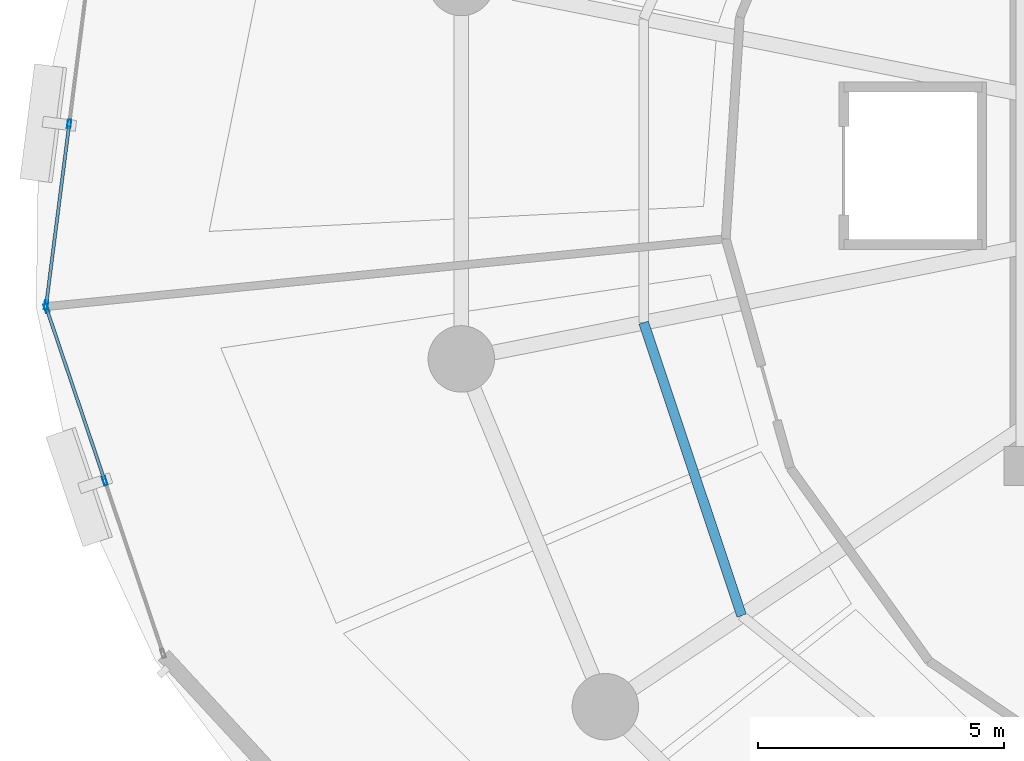
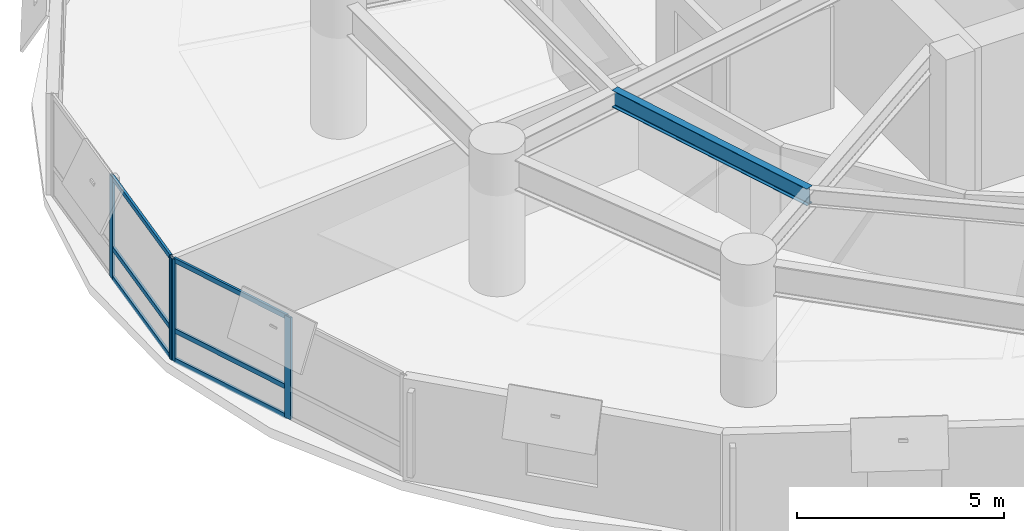
# One storey, part 4 of 17: 10 members, 1 beam, 2 elements without a shape of their own.
"""IFC4 building model written with IfcOpenShell, lengths in metres."""

from ifc_helpers import new_model, si_unit, direction, frame, origin, origin_2d, place, context, subcontext, project, spatial, hollow_rectangle, i_section, extrude, material, layer, layer_set, material_profile, profile_set, type_object, element, aggregate, save


model = new_model("IFC4")

# Units and contexts
model_context = context("Model", 3, precision=1e-05, world=origin(), true_north=direction((0.0, 1.0)))
body_context = subcontext(model_context, "Body", "Model", "MODEL_VIEW")
ifc_project = project(units=[si_unit("LENGTHUNIT", "METRE"), si_unit("AREAUNIT", "SQUARE_METRE"), si_unit("VOLUMEUNIT", "CUBIC_METRE"), si_unit("PLANEANGLEUNIT", "RADIAN"), si_unit("MASSUNIT", "GRAM", prefix="KILO"), si_unit("THERMODYNAMICTEMPERATUREUNIT", "KELVIN"), si_unit("POWERUNIT", "WATT")], contexts=[model_context])

# Site, building, storey
site_placement = place(None, origin())
site = spatial("IfcSite", under=ifc_project, at=site_placement, CompositionType="ELEMENT")
building_placement = place(site_placement, origin())
building = spatial("IfcBuilding", under=site, at=building_placement, Name="Ocrelia Relay Tower", CompositionType="ELEMENT")
storey_placement = place(building_placement, frame((0.0, 0.0, 55.199951171875)))
storey = spatial("IfcBuildingStorey", under=building, at=storey_placement, Name="L12", CompositionType="ELEMENT", Elevation=55.199951171875)

# Beam
ifc_material_1 = material(Name="Steel S355", Category="steel")
ifc_material_profile_1 = material_profile(ifc_material_1, i_section(OverallWidth=0.199951171875, OverallDepth=0.5, WebThickness=0.01025390625, FlangeThickness=0.01611328125, FilletRadius=0.02099609375, at=origin_2d()), Name="IPE 500")
ifc_profile_set_1 = profile_set([ifc_material_profile_1], Name="Steel S355")
beam_type = type_object("IfcBeamType", Name="BM-IPE500", PredefinedType="JOIST", material=ifc_profile_set_1)
beam_placement = place(storey_placement, frame((18.481689453125, 22.9130859375, 3.670166015625), z_axis=(0.317067865999, -0.948402851298, 0.0), x_axis=(0.948402851298, 0.317067865999, 0.0)))
element("IfcBeam", 1, at=beam_placement, inside=storey, type_object=beam_type, Name="L12 Secondary Floor Joist J09", PredefinedType="JOIST", context=body_context, shape_type="SweptSolid", body=[
    extrude(i_section(OverallWidth=0.199951171875, OverallDepth=0.5, WebThickness=0.01025390625, FlangeThickness=0.01611328125, FilletRadius=0.02099609375, at=origin_2d()), origin(), (0.0, 0.0, 1.0), 6.276123046875),
])

# Curtain wall, members
ifc_material_2 = material(Name="Aluminium and solar-control low-E glass", Category="aluminium")
ifc_layer = layer(ifc_material_2, 0.179931640625, Name="Aluminium and solar-control low-E glass")
ifc_layer_set = layer_set([ifc_layer], Name="Aluminium and solar-control low-E glass")
curtain_wall_type = type_object("IfcCurtainWallType", Name="CW-SYS-Z1-DATA", PredefinedType="NOTDEFINED", material=ifc_layer_set)
curtain_wall_1_placement = place(storey_placement, origin())
curtain_wall_1 = element("IfcCurtainWall", 2, at=curtain_wall_1_placement, inside=storey, type_object=curtain_wall_type, Name="L12 Elliptical Tower Curtain Wall Bay 09", PredefinedType="NOTDEFINED")
ifc_material_3 = material(Name="Anodised bronze aluminium", Category="aluminium")
ifc_material_profile_2 = material_profile(ifc_material_3, hollow_rectangle(XDim=0.070068359375, YDim=0.179931640625, WallThickness=0.006103515625, at=origin_2d()), Name="CW-MUL-180x70")
ifc_profile_set_2 = profile_set([ifc_material_profile_2], Name="Anodised bronze aluminium")
member_type_1 = type_object("IfcMemberType", Name="CW-SYS-Z1-DATA-MUL", PredefinedType="MULLION", material=ifc_profile_set_2)
member_1_placement = place(storey_placement, frame((6.809814453125, 26.946533203125, 0.0), z_axis=(0.0, 0.0, 1.0), x_axis=(0.991982673525, -0.126373950742, 0.0)))
member_1 = element("IfcMember", 3, at=member_1_placement, type_object=member_type_1, Name="CW-Z1 mullion 2", PredefinedType="MULLION", context=body_context, shape_type="SweptSolid", body=[
    extrude(hollow_rectangle(XDim=0.070068359375, YDim=0.179931640625, WallThickness=0.006103515625, at=origin_2d()), origin(), (0.0, 0.0, 1.0), 3.0),
])
member_2_placement = place(storey_placement, frame((6.342041015625, 23.273681640625, 0.0), z_axis=(0.0, 0.0, 1.0), x_axis=(0.991982673525, -0.126373950742, 0.0)))
member_2 = element("IfcMember", 4, at=member_2_placement, type_object=member_type_1, Name="CW-Z1 mullion 3", PredefinedType="MULLION", context=body_context, shape_type="SweptSolid", body=[
    extrude(hollow_rectangle(XDim=0.070068359375, YDim=0.179931640625, WallThickness=0.006103515625, at=origin_2d()), origin(), (0.0, 0.0, 1.0), 3.0),
])

curtain_wall_2_placement = place(storey_placement, origin())
curtain_wall_2 = element("IfcCurtainWall", 5, at=curtain_wall_2_placement, inside=storey, type_object=curtain_wall_type, Name="L12 Elliptical Tower Curtain Wall Bay 10", PredefinedType="NOTDEFINED")
member_3_placement = place(storey_placement, frame((6.3486328125, 23.205810546875, 0.0), z_axis=(0.0, 0.0, 1.0), x_axis=(0.947433239602, 0.319953522402, 0.0)))
member_3 = element("IfcMember", 6, at=member_3_placement, type_object=member_type_1, Name="CW-Z1 mullion 1", PredefinedType="MULLION", context=body_context, shape_type="SweptSolid", body=[
    extrude(hollow_rectangle(XDim=0.070068359375, YDim=0.179931640625, WallThickness=0.006103515625, at=origin_2d()), origin(), (0.0, 0.0, 1.0), 3.0),
])
member_4_placement = place(storey_placement, frame((7.533447265625, 19.69775390625, 0.0), z_axis=(0.0, 0.0, 1.0), x_axis=(0.947433239602, 0.319953522402, 0.0)))
member_4 = element("IfcMember", 7, at=member_4_placement, type_object=member_type_1, Name="CW-Z1 mullion 2", PredefinedType="MULLION", context=body_context, shape_type="SweptSolid", body=[
    extrude(hollow_rectangle(XDim=0.070068359375, YDim=0.179931640625, WallThickness=0.006103515625, at=origin_2d()), origin(), (0.0, 0.0, 1.0), 3.0),
])

# Member
ifc_material_profile_3 = material_profile(ifc_material_3, hollow_rectangle(XDim=0.06494140625, YDim=0.139892578125, WallThickness=0.0048828125, at=origin_2d()), Name="CW-TRN-140x65")
ifc_profile_set_3 = profile_set([ifc_material_profile_3], Name="Anodised bronze aluminium")
member_type_2 = type_object("IfcMemberType", Name="CW-SYS-Z1-DATA-TRN", PredefinedType="USERDEFINED", material=ifc_profile_set_3)
member_5_placement = place(storey_placement, frame((6.805419921875, 26.911865234375, 0.032470703125), z_axis=(-0.126350477481, -0.991985663626, 0.0), x_axis=(0.991985663626, -0.126350477481, 0.0)))
member_5 = element("IfcMember", 8, at=member_5_placement, type_object=member_type_2, Name="CW-Z1 transom 2.1", ObjectType="TRANSOM", PredefinedType="USERDEFINED", context=body_context, shape_type="SweptSolid", body=[
    extrude(hollow_rectangle(XDim=0.06494140625, YDim=0.139892578125, WallThickness=0.0048828125, at=origin_2d()), origin(), (0.0, 0.0, 1.0), 3.632568359375),
])

member_6_placement = place(storey_placement, frame((6.805419921875, 26.911865234375, 0.900146484375), z_axis=(-0.126350477481, -0.991985663626, 0.0), x_axis=(0.991985663626, -0.126350477481, 0.0)))
member_6 = element("IfcMember", 9, at=member_6_placement, type_object=member_type_2, Name="CW-Z1 transom 2.2", ObjectType="TRANSOM", PredefinedType="USERDEFINED", context=body_context, shape_type="SweptSolid", body=[
    extrude(hollow_rectangle(XDim=0.06494140625, YDim=0.139892578125, WallThickness=0.0048828125, at=origin_2d()), origin(), (0.0, 0.0, 1.0), 3.632568359375),
])

member_7_placement = place(storey_placement, frame((6.805419921875, 26.911865234375, 2.967529296875), z_axis=(-0.126350477481, -0.991985663626, 0.0), x_axis=(0.991985663626, -0.126350477481, 0.0)))
member_7 = element("IfcMember", 10, at=member_7_placement, type_object=member_type_2, Name="CW-Z1 transom 2.3", ObjectType="TRANSOM", PredefinedType="USERDEFINED", context=body_context, shape_type="SweptSolid", body=[
    extrude(hollow_rectangle(XDim=0.06494140625, YDim=0.139892578125, WallThickness=0.0048828125, at=origin_2d()), origin(), (0.0, 0.0, 1.0), 3.632568359375),
])

aggregate(curtain_wall_1, [member_1, member_2, member_5, member_6, member_7])

member_8_placement = place(storey_placement, frame((6.35986328125, 23.172607421875, 0.032470703125), z_axis=(0.319955107478, -0.947432704311, 0.0), x_axis=(0.947432704311, 0.319955107478, 0.0)))
member_8 = element("IfcMember", 11, at=member_8_placement, type_object=member_type_2, Name="CW-Z1 transom 1.1", ObjectType="TRANSOM", PredefinedType="USERDEFINED", context=body_context, shape_type="SweptSolid", body=[
    extrude(hollow_rectangle(XDim=0.06494140625, YDim=0.139892578125, WallThickness=0.0048828125, at=origin_2d()), origin(), (0.0, 0.0, 1.0), 3.6328125),
])

member_9_placement = place(storey_placement, frame((6.35986328125, 23.172607421875, 0.900146484375), z_axis=(0.319955107478, -0.947432704311, 0.0), x_axis=(0.947432704311, 0.319955107478, 0.0)))
member_9 = element("IfcMember", 12, at=member_9_placement, type_object=member_type_2, Name="CW-Z1 transom 1.2", ObjectType="TRANSOM", PredefinedType="USERDEFINED", context=body_context, shape_type="SweptSolid", body=[
    extrude(hollow_rectangle(XDim=0.06494140625, YDim=0.139892578125, WallThickness=0.0048828125, at=origin_2d()), origin(), (0.0, 0.0, 1.0), 3.6328125),
])

member_10_placement = place(storey_placement, frame((6.35986328125, 23.172607421875, 2.967529296875), z_axis=(0.319955107478, -0.947432704311, 0.0), x_axis=(0.947432704311, 0.319955107478, 0.0)))
member_10 = element("IfcMember", 13, at=member_10_placement, type_object=member_type_2, Name="CW-Z1 transom 1.3", ObjectType="TRANSOM", PredefinedType="USERDEFINED", context=body_context, shape_type="SweptSolid", body=[
    extrude(hollow_rectangle(XDim=0.06494140625, YDim=0.139892578125, WallThickness=0.0048828125, at=origin_2d()), origin(), (0.0, 0.0, 1.0), 3.6328125),
])

aggregate(curtain_wall_2, [member_3, member_4, member_8, member_9, member_10])

save(model, "model.ifc")
